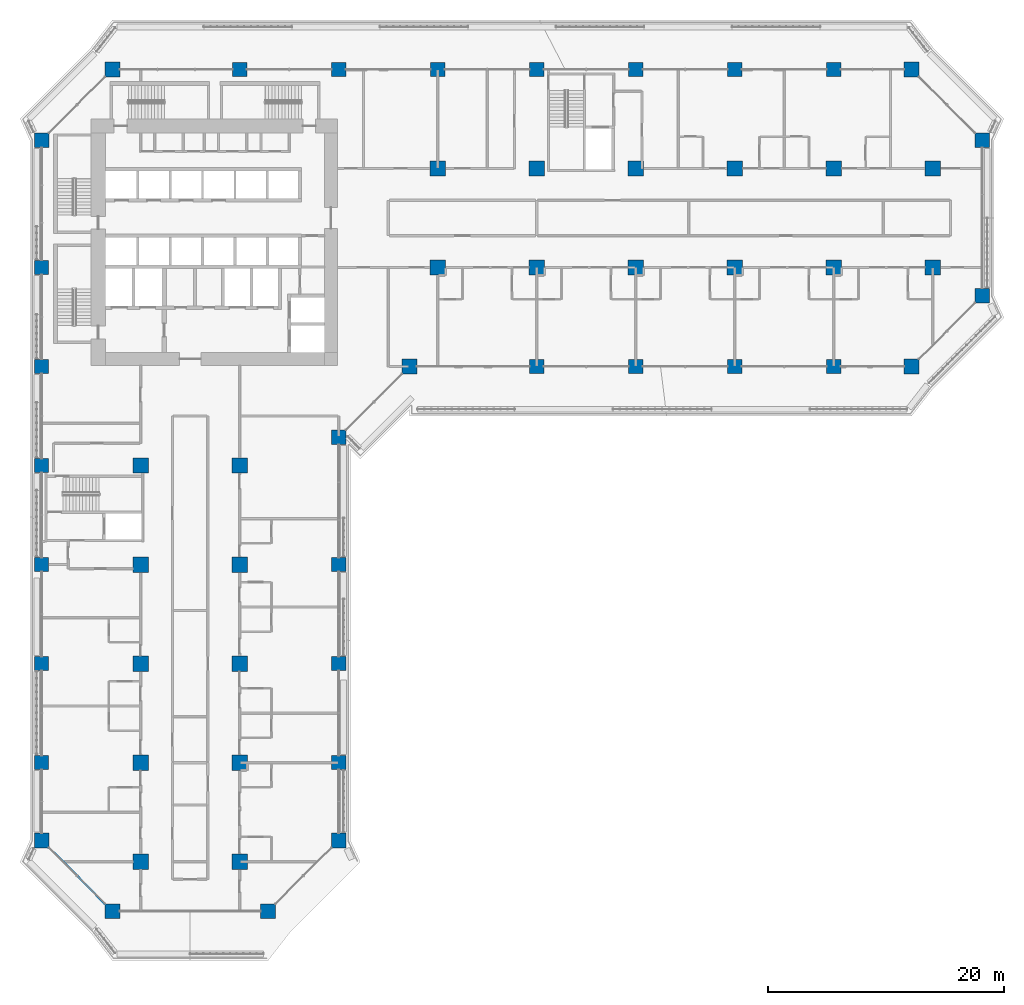
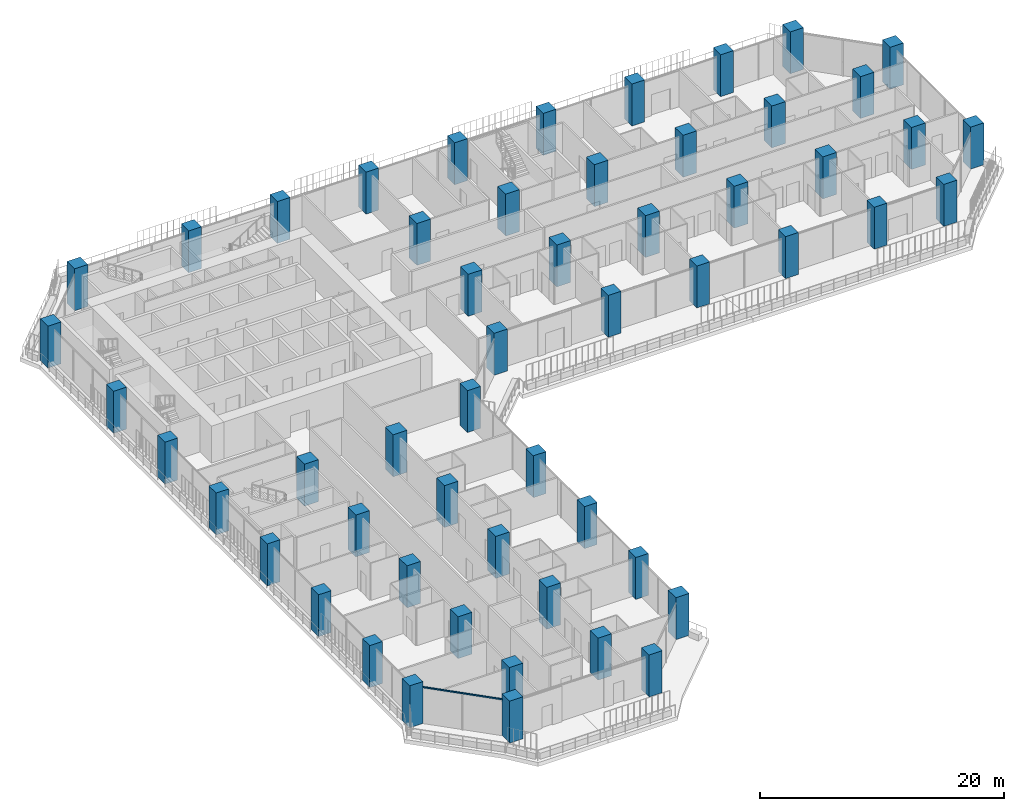
# One storey, part 1 of 28: 54 columns, 1 member, 1 element without a shape of its own.
"""IFC4 building model written with IfcOpenShell, lengths in metres."""

from ifc_helpers import new_model, si_unit, direction, frame, origin, origin_2d, place, context, subcontext, project, spatial, rectangle, extrude, material, layer, layer_set, material_profile, profile_set, type_object, element, aggregate, save


model = new_model("IFC4")

# Units and contexts
model_context = context("Model", 3, precision=1e-05, world=origin(), true_north=direction((0.0, 1.0)))
body_context = subcontext(model_context, "Body", "Model", "MODEL_VIEW")
ifc_project = project(units=[si_unit("LENGTHUNIT", "METRE"), si_unit("AREAUNIT", "SQUARE_METRE"), si_unit("VOLUMEUNIT", "CUBIC_METRE"), si_unit("PLANEANGLEUNIT", "RADIAN"), si_unit("MASSUNIT", "GRAM", prefix="KILO")], contexts=[model_context])

# Site, building, storey
site_placement = place(None, origin())
site = spatial("IfcSite", under=ifc_project, at=site_placement, CompositionType="ELEMENT")
building_placement = place(site_placement, origin())
building = spatial("IfcBuilding", under=site, at=building_placement, Name="Kawkab Arch Medical Tower", CompositionType="ELEMENT")
storey_placement = place(building_placement, frame((0.0, 0.0, 89.60009765625)))
storey = spatial("IfcBuildingStorey", under=building, at=storey_placement, Name="L20", CompositionType="ELEMENT", Elevation=89.60009765625)

# Columns
ifc_material_1 = material(Name="Concrete C60/75", Category="concrete")
ifc_material_profile_1 = material_profile(ifc_material_1, rectangle(XDim=1.199951171875, YDim=1.199951171875, at=origin_2d()), Name="RC 1200x1200")
ifc_profile_set_1 = profile_set([ifc_material_profile_1], Name="Concrete C60/75")
column_type_1 = type_object("IfcColumnType", Name="RC 1200x1200 column C60/75", PredefinedType="COLUMN", material=ifc_profile_set_1)
for number, where, z_axis, x_axis, name in (
    (1, (16.800048828125, 0.0, 0.0), (0.0, 0.0, 1.0), (1.0, 0.0, 0.0), "Column RC 1200x1200"),
    (2, (25.199951171875, 0.0, 0.0), (0.0, 0.0, 1.0), (1.0, 0.0, 0.0), "Column RC 1200x1200"),
    (3, (33.60009765625, 0.0, 0.0), (0.0, 0.0, 1.0), (1.0, 0.0, 0.0), "Column RC 1200x1200"),
    (4, (42.0, 0.0, 0.0), (0.0, 0.0, 1.0), (1.0, 0.0, 0.0), "Column RC 1200x1200"),
    (5, (50.39990234375, 0.0, 0.0), (0.0, 0.0, 1.0), (1.0, 0.0, 0.0), "Column RC 1200x1200"),
    (6, (58.800048828125, 0.0, 0.0), (0.0, 0.0, 1.0), (1.0, 0.0, 0.0), "Column RC 1200x1200"),
    (7, (67.199951171875, 0.0, 0.0), (0.0, 0.0, 1.0), (1.0, 0.0, 0.0), "Column RC 1200x1200"),
    (8, (0.0, -16.800048828125, 0.0), (0.0, 0.0, 1.0), (1.0, 0.0, 0.0), "Column RC 1200x1200"),
    (9, (0.0, -25.199951171875, 0.0), (0.0, 0.0, 1.0), (1.0, 0.0, 0.0), "Column RC 1200x1200"),
    (10, (42.0, -25.199951171875, 0.0), (0.0, 0.0, 1.0), (1.0, 0.0, 0.0), "Column RC 1200x1200"),
    (11, (50.39990234375, -25.199951171875, 0.0), (0.0, 0.0, 1.0), (1.0, 0.0, 0.0), "Column RC 1200x1200"),
    (12, (58.800048828125, -25.199951171875, 0.0), (0.0, 0.0, 1.0), (1.0, 0.0, 0.0), "Column RC 1200x1200"),
    (13, (67.199951171875, -25.199951171875, 0.0), (0.0, 0.0, 1.0), (1.0, 0.0, 0.0), "Column RC 1200x1200"),
    (14, (0.0, -33.60009765625, 0.0), (0.0, 0.0, 1.0), (1.0, 0.0, 0.0), "Column RC 1200x1200"),
    (15, (0.0, -42.0, 0.0), (0.0, 0.0, 1.0), (1.0, 0.0, 0.0), "Column RC 1200x1200"),
    (16, (25.199951171875, -42.0, 0.0), (0.0, 0.0, 1.0), (1.0, 0.0, 0.0), "Column RC 1200x1200"),
    (17, (0.0, -50.39990234375, 0.0), (0.0, 0.0, 1.0), (1.0, 0.0, 0.0), "Column RC 1200x1200"),
    (18, (25.199951171875, -50.39990234375, 0.0), (0.0, 0.0, 1.0), (1.0, 0.0, 0.0), "Column RC 1200x1200"),
    (19, (0.0, -58.800048828125, 0.0), (0.0, 0.0, 1.0), (1.0, 0.0, 0.0), "Column RC 1200x1200"),
    (20, (25.199951171875, -58.800048828125, 0.0), (0.0, 0.0, 1.0), (1.0, 0.0, 0.0), "Column RC 1200x1200"),
):
    element("IfcColumn", number, at=place(storey_placement, frame(where, z_axis=z_axis, x_axis=x_axis)), inside=storey, type_object=column_type_1, Name=name, PredefinedType="COLUMN", context=body_context, shape_type="SweptSolid", body=[
        extrude(rectangle(XDim=1.199951171875, YDim=1.199951171875, at=origin_2d()), origin(), (0.0, 0.0, 1.0), 4.199951171875),
    ])
ifc_material_2 = material(Name="Concrete C60/75", Category="concrete")
ifc_material_profile_2 = material_profile(ifc_material_2, rectangle(XDim=1.25, YDim=1.25, at=origin_2d()), Name="RC 1250x1250")
ifc_profile_set_2 = profile_set([ifc_material_profile_2], Name="Concrete C60/75")
column_type_2 = type_object("IfcColumnType", Name="RC 1250x1250 column C60/75", PredefinedType="COLUMN", material=ifc_profile_set_2)
for number, where, z_axis, x_axis, name in (
    (21, (6.0, 0.0, 0.0), (0.0, 0.0, 1.0), (1.0, 0.0, 0.0), "Column RC 1250x1250"),
    (22, (73.800048828125, 0.0, 0.0), (0.0, 0.0, 1.0), (1.0, 0.0, 0.0), "Column RC 1250x1250"),
    (23, (0.0, -6.0, 0.0), (0.0, 0.0, 1.0), (1.0, 0.0, 0.0), "Column RC 1250x1250"),
    (24, (79.800048828125, -6.0, 0.0), (0.0, 0.0, 1.0), (1.0, 0.0, 0.0), "Column RC 1250x1250"),
    (25, (79.800048828125, -19.199951171875, 0.0), (0.0, 0.0, 1.0), (1.0, 0.0, 0.0), "Column RC 1250x1250"),
    (26, (31.199951171875, -25.199951171875, 0.0), (0.0, 0.0, 1.0), (1.0, 0.0, 0.0), "Column RC 1250x1250"),
    (27, (73.800048828125, -25.199951171875, 0.0), (0.0, 0.0, 1.0), (1.0, 0.0, 0.0), "Column RC 1250x1250"),
    (28, (25.199951171875, -31.199951171875, 0.0), (0.0, 0.0, 1.0), (1.0, 0.0, 0.0), "Column RC 1250x1250"),
    (29, (0.0, -65.39990234375, 0.0), (0.0, 0.0, 1.0), (1.0, 0.0, 0.0), "Column RC 1250x1250"),
    (30, (25.199951171875, -65.39990234375, 0.0), (0.0, 0.0, 1.0), (1.0, 0.0, 0.0), "Column RC 1250x1250"),
    (31, (6.0, -71.39990234375, 0.0), (0.0, 0.0, 1.0), (1.0, 0.0, 0.0), "Column RC 1250x1250"),
    (32, (19.199951171875, -71.39990234375, 0.0), (0.0, 0.0, 1.0), (1.0, 0.0, 0.0), "Column RC 1250x1250"),
):
    element("IfcColumn", number, at=place(storey_placement, frame(where, z_axis=z_axis, x_axis=x_axis)), inside=storey, type_object=column_type_2, Name=name, PredefinedType="COLUMN", context=body_context, shape_type="SweptSolid", body=[
        extrude(rectangle(XDim=1.25, YDim=1.25, at=origin_2d()), origin(), (0.0, 0.0, 1.0), 4.199951171875),
    ])
ifc_material_3 = material(Name="Concrete C60/75", Category="concrete")
ifc_material_profile_3 = material_profile(ifc_material_3, rectangle(XDim=1.300048828125, YDim=1.300048828125, at=origin_2d()), Name="RC 1300x1300")
ifc_profile_set_3 = profile_set([ifc_material_profile_3], Name="Concrete C60/75")
column_type_3 = type_object("IfcColumnType", Name="RC 1300x1300 column C60/75", PredefinedType="COLUMN", material=ifc_profile_set_3)
for number, where, z_axis, x_axis, name in (
    (33, (33.60009765625, -8.39990234375, 0.0), (0.0, 0.0, 1.0), (1.0, 0.0, 0.0), "Column RC 1300x1300"),
    (34, (42.0, -8.39990234375, 0.0), (0.0, 0.0, 1.0), (1.0, 0.0, 0.0), "Column RC 1300x1300"),
    (35, (50.39990234375, -8.39990234375, 0.0), (0.0, 0.0, 1.0), (1.0, 0.0, 0.0), "Column RC 1300x1300"),
    (36, (58.800048828125, -8.39990234375, 0.0), (0.0, 0.0, 1.0), (1.0, 0.0, 0.0), "Column RC 1300x1300"),
    (37, (67.199951171875, -8.39990234375, 0.0), (0.0, 0.0, 1.0), (1.0, 0.0, 0.0), "Column RC 1300x1300"),
    (38, (75.60009765625, -8.39990234375, 0.0), (0.0, 0.0, 1.0), (1.0, 0.0, 0.0), "Column RC 1300x1300"),
    (39, (33.60009765625, -16.800048828125, 0.0), (0.0, 0.0, 1.0), (1.0, 0.0, 0.0), "Column RC 1300x1300"),
    (40, (42.0, -16.800048828125, 0.0), (0.0, 0.0, 1.0), (1.0, 0.0, 0.0), "Column RC 1300x1300"),
    (41, (50.39990234375, -16.800048828125, 0.0), (0.0, 0.0, 1.0), (1.0, 0.0, 0.0), "Column RC 1300x1300"),
    (42, (58.800048828125, -16.800048828125, 0.0), (0.0, 0.0, 1.0), (1.0, 0.0, 0.0), "Column RC 1300x1300"),
    (43, (67.199951171875, -16.800048828125, 0.0), (0.0, 0.0, 1.0), (1.0, 0.0, 0.0), "Column RC 1300x1300"),
    (44, (75.60009765625, -16.800048828125, 0.0), (0.0, 0.0, 1.0), (1.0, 0.0, 0.0), "Column RC 1300x1300"),
    (45, (8.39990234375, -33.60009765625, 0.0), (0.0, 0.0, 1.0), (1.0, 0.0, 0.0), "Column RC 1300x1300"),
    (46, (16.800048828125, -33.60009765625, 0.0), (0.0, 0.0, 1.0), (1.0, 0.0, 0.0), "Column RC 1300x1300"),
    (47, (8.39990234375, -42.0, 0.0), (0.0, 0.0, 1.0), (1.0, 0.0, 0.0), "Column RC 1300x1300"),
    (48, (16.800048828125, -42.0, 0.0), (0.0, 0.0, 1.0), (1.0, 0.0, 0.0), "Column RC 1300x1300"),
    (49, (8.39990234375, -50.39990234375, 0.0), (0.0, 0.0, 1.0), (1.0, 0.0, 0.0), "Column RC 1300x1300"),
    (50, (16.800048828125, -50.39990234375, 0.0), (0.0, 0.0, 1.0), (1.0, 0.0, 0.0), "Column RC 1300x1300"),
    (51, (8.39990234375, -58.800048828125, 0.0), (0.0, 0.0, 1.0), (1.0, 0.0, 0.0), "Column RC 1300x1300"),
    (52, (16.800048828125, -58.800048828125, 0.0), (0.0, 0.0, 1.0), (1.0, 0.0, 0.0), "Column RC 1300x1300"),
    (53, (8.39990234375, -67.199951171875, 0.0), (0.0, 0.0, 1.0), (1.0, 0.0, 0.0), "Column RC 1300x1300"),
    (54, (16.800048828125, -67.199951171875, 0.0), (0.0, 0.0, 1.0), (1.0, 0.0, 0.0), "Column RC 1300x1300"),
):
    element("IfcColumn", number, at=place(storey_placement, frame(where, z_axis=z_axis, x_axis=x_axis)), inside=storey, type_object=column_type_3, Name=name, PredefinedType="COLUMN", context=body_context, shape_type="SweptSolid", body=[
        extrude(rectangle(XDim=1.300048828125, YDim=1.300048828125, at=origin_2d()), origin(), (0.0, 0.0, 1.0), 4.199951171875),
    ])

# Curtain wall, member
ifc_material_4 = material(Name="Bronze anodised aluminium curtain wall frame", Category="aluminium")
ifc_layer = layer(ifc_material_4, 0.159912109375)
ifc_layer_set = layer_set([ifc_layer], Name="Bronze anodised aluminium curtain wall frame")
curtain_wall_type = type_object("IfcCurtainWallType", Name="CW2 chamfer curtain wall", PredefinedType="NOTDEFINED", material=ifc_layer_set)
curtain_wall_placement = place(storey_placement, origin())
curtain_wall = element("IfcCurtainWall", 55, at=curtain_wall_placement, inside=storey, type_object=curtain_wall_type, Name="CW2 Chamfer curtain wall R02", PredefinedType="NOTDEFINED")
ifc_material_5 = material(Name="Bronze anodised aluminium curtain wall frame", Category="aluminium")
ifc_material_profile_4 = material_profile(ifc_material_5, rectangle(XDim=0.06005859375, YDim=0.139892578125, at=origin_2d()), Name="AL 60x140")
ifc_profile_set_4 = profile_set([ifc_material_profile_4], Name="Bronze anodised aluminium curtain wall frame")
member_type = type_object("IfcMemberType", Name="CW2 transom 140 x 60", PredefinedType="USERDEFINED", material=ifc_profile_set_4)
member_placement = place(storey_placement, frame((0.625, -66.02490234375, 3.6298828125), z_axis=(0.707106781187, -0.707106781187, 0.0), x_axis=(0.707106781187, 0.707106781187, 0.0)))
member = element("IfcMember", 56, at=member_placement, type_object=member_type, Name="CW2 transom 1", ObjectType="TRANSOM", PredefinedType="USERDEFINED", context=body_context, shape_type="SweptSolid", body=[
    extrude(rectangle(XDim=0.06005859375, YDim=0.139892578125, at=origin_2d()), origin(), (0.0, 0.0, 1.0), 6.717529296875),
])
aggregate(curtain_wall, [member])

save(model, "model.ifc")
